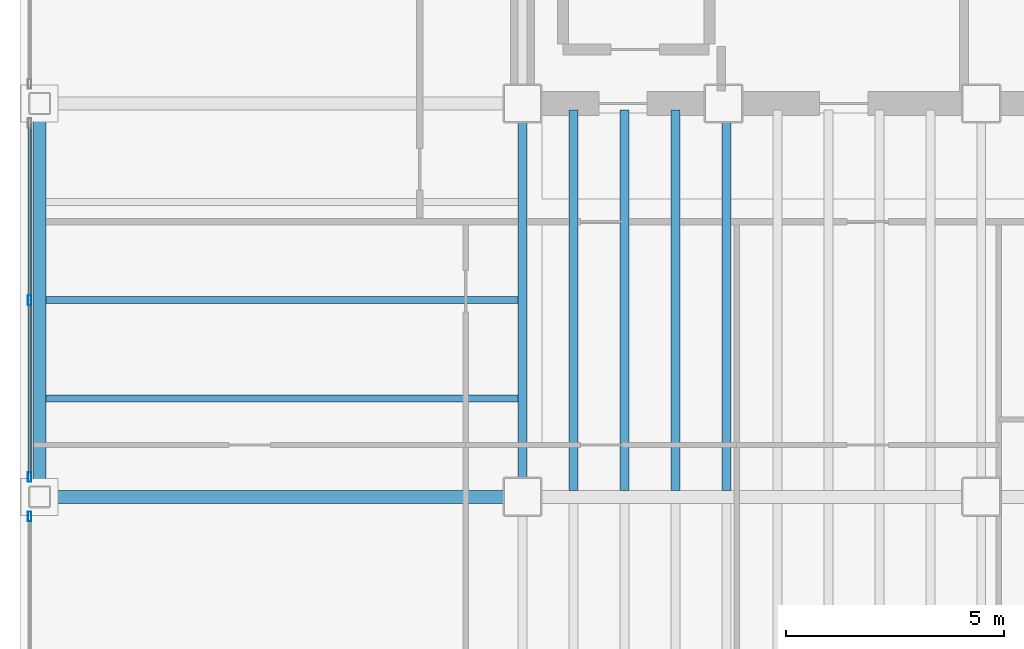
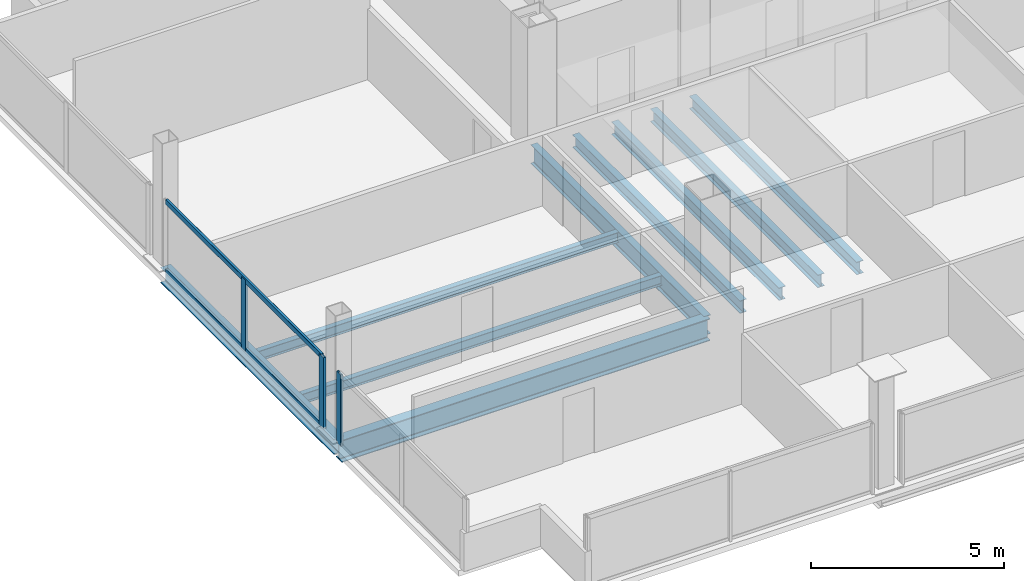
# One storey, part 4 of 22: 9 beams, 5 members, 2 elements without a shape of their own.
"""IFC4 building model written with IfcOpenShell, lengths in metres."""

from ifc_helpers import new_model, si_unit, direction, frame, origin, origin_2d, place, context, subcontext, project, spatial, hollow_rectangle, i_section, extrude, material, material_profile, profile_set, type_object, element, aggregate, save


model = new_model("IFC4")

# Units and contexts
model_context = context("Model", 3, precision=1e-05, world=origin(), true_north=direction((0.0, 1.0)))
body_context = subcontext(model_context, "Body", "Model", "MODEL_VIEW")
ifc_project = project(units=[si_unit("LENGTHUNIT", "METRE"), si_unit("AREAUNIT", "SQUARE_METRE"), si_unit("VOLUMEUNIT", "CUBIC_METRE"), si_unit("PLANEANGLEUNIT", "RADIAN"), si_unit("MASSUNIT", "GRAM", prefix="KILO")], contexts=[model_context])

# Site, building, storey
site_placement = place(None, origin())
site = spatial("IfcSite", under=ifc_project, at=site_placement, CompositionType="ELEMENT")
building_placement = place(site_placement, origin())
building = spatial("IfcBuilding", under=site, at=building_placement, Name="Noeulbin Bourse Tower", CompositionType="ELEMENT")
storey_placement = place(building_placement, frame((0.0, 0.0, 138.300048828125)))
storey = spatial("IfcBuildingStorey", under=building, at=storey_placement, Name="L34", CompositionType="ELEMENT", Elevation=138.300048828125)

# Beams
ifc_material_1 = material(Name="Steel S355", Category="steel")
ifc_material_profile_1 = material_profile(ifc_material_1, i_section(OverallWidth=0.199951171875, OverallDepth=0.60009765625, WebThickness=0.010986328125, FlangeThickness=0.01708984375, FilletRadius=0.02197265625, at=origin_2d()), Name="H-600x200x11x17", Category="LoadBearing")
ifc_profile_set_1 = profile_set([ifc_material_profile_1], Name="Steel S355")
beam_type_1 = type_object("IfcBeamType", Name="BM-GRD-600", PredefinedType="USERDEFINED", material=ifc_profile_set_1)
beam_1_placement = place(storey_placement, frame((13.5, 20.0, -0.47998046875), z_axis=(0.0, 1.0, 0.0), x_axis=(-1.0, 0.0, 0.0)))
element("IfcBeam", 1, at=beam_1_placement, inside=storey, type_object=beam_type_1, Name="Tower Primary Girder NS L34-1.2", ObjectType="GIRDER", PredefinedType="USERDEFINED", context=body_context, shape_type="SweptSolid", body=[
    extrude(i_section(OverallWidth=0.199951171875, OverallDepth=0.60009765625, WebThickness=0.010986328125, FlangeThickness=0.01708984375, FilletRadius=0.02197265625, at=origin_2d()), origin(), (0.0, 0.0, 1.0), 9.0),
])
ifc_material_profile_2 = material_profile(ifc_material_1, i_section(OverallWidth=0.300048828125, OverallDepth=0.699951171875, WebThickness=0.012939453125, FlangeThickness=0.02392578125, FilletRadius=0.02392578125, at=origin_2d()), Name="H-700x300x13x24", Category="LoadBearing")
ifc_profile_set_2 = profile_set([ifc_material_profile_2], Name="Steel S355")
beam_type_2 = type_object("IfcBeamType", Name="BM-GRD-700", PredefinedType="USERDEFINED", material=ifc_profile_set_2)
beam_2_placement = place(storey_placement, frame((2.449951171875, 20.0, -0.530029296875), z_axis=(1.0, 0.0, 0.0), x_axis=(0.0, 1.0, 0.0)))
element("IfcBeam", 2, at=beam_2_placement, inside=storey, type_object=beam_type_2, Name="Tower Primary Girder EW L34-1.1", ObjectType="GIRDER", PredefinedType="USERDEFINED", context=body_context, shape_type="SweptSolid", body=[
    extrude(i_section(OverallWidth=0.300048828125, OverallDepth=0.699951171875, WebThickness=0.012939453125, FlangeThickness=0.02392578125, FilletRadius=0.02392578125, at=origin_2d()), origin(), (0.0, 0.0, 1.0), 11.050048828125),
])
ifc_material_profile_3 = material_profile(ifc_material_1, i_section(OverallWidth=0.159912109375, OverallDepth=0.320068359375, WebThickness=0.006591796875, FlangeThickness=0.010009765625, FilletRadius=0.012939453125, at=origin_2d()), Name="H-320x160x6.5x10", Category="LoadBearing")
ifc_profile_set_3 = profile_set([ifc_material_profile_3], Name="Steel S355")
beam_type_3 = type_object("IfcBeamType", Name="BM-JST-320", PredefinedType="JOIST", material=ifc_profile_set_3)
for number, where, z_axis, x_axis, name in (
    (3, (2.60009765625, 22.25, -0.340087890625), (1.0, 0.0, 0.0), (0.0, 1.0, 0.0), "Wing Composite Joist L34-W47"),
    (4, (2.60009765625, 24.5, -0.340087890625), (1.0, 0.0, 0.0), (0.0, 1.0, 0.0), "Wing Composite Joist L34-W48"),
):
    element("IfcBeam", number, at=place(storey_placement, frame(where, z_axis=z_axis, x_axis=x_axis)), inside=storey, type_object=beam_type_3, Name=name, PredefinedType="JOIST", context=body_context, shape_type="SweptSolid", body=[
        extrude(i_section(OverallWidth=0.159912109375, OverallDepth=0.320068359375, WebThickness=0.006591796875, FlangeThickness=0.010009765625, FilletRadius=0.012939453125, at=origin_2d()), origin(), (0.0, 0.0, 1.0), 10.7998046875),
    ])
ifc_material_profile_4 = material_profile(ifc_material_1, i_section(OverallWidth=0.199951171875, OverallDepth=0.39990234375, WebThickness=0.008056640625, FlangeThickness=0.012939453125, FilletRadius=0.01611328125, at=origin_2d()), Name="H-400x200x8x13", Category="LoadBearing")
ifc_profile_set_4 = profile_set([ifc_material_profile_4], Name="Steel S355")
beam_type_4 = type_object("IfcBeamType", Name="BM-SEC-400", PredefinedType="BEAM", material=ifc_profile_set_4)
for number, where, z_axis, x_axis, name in (
    (5, (14.666748046875, 20.14990234375, -0.380126953125), (0.0, 1.0, 0.0), (-1.0, 0.0, 0.0), "Tower Composite Joist L34-02"),
    (6, (15.833251953125, 20.14990234375, -0.380126953125), (0.0, 1.0, 0.0), (-1.0, 0.0, 0.0), "Tower Composite Joist L34-04"),
    (7, (17.0, 20.14990234375, -0.380126953125), (0.0, 1.0, 0.0), (-1.0, 0.0, 0.0), "Tower Composite Joist L34-06"),
    (8, (18.166748046875, 20.14990234375, -0.380126953125), (0.0, 1.0, 0.0), (-1.0, 0.0, 0.0), "Tower Composite Joist L34-08"),
):
    element("IfcBeam", number, at=place(storey_placement, frame(where, z_axis=z_axis, x_axis=x_axis)), inside=storey, type_object=beam_type_4, Name=name, PredefinedType="BEAM", context=body_context, shape_type="SweptSolid", body=[
        extrude(i_section(OverallWidth=0.199951171875, OverallDepth=0.39990234375, WebThickness=0.008056640625, FlangeThickness=0.012939453125, FilletRadius=0.01611328125, at=origin_2d()), origin(), (0.0, 0.0, 1.0), 8.7001953125),
    ])
ifc_material_profile_5 = material_profile(ifc_material_1, i_section(OverallWidth=0.300048828125, OverallDepth=0.488037109375, WebThickness=0.010986328125, FlangeThickness=0.01806640625, FilletRadius=0.02197265625, at=origin_2d()), Name="H-488x300x11x18", Category="LoadBearing")
ifc_profile_set_5 = profile_set([ifc_material_profile_5], Name="Steel S355")
beam_type_5 = type_object("IfcBeamType", Name="BM-SPN-488", PredefinedType="SPANDREL", material=ifc_profile_set_5)
beam_3_placement = place(storey_placement, frame((2.449951171875, 20.0, -0.424072265625), z_axis=(0.0, 1.0, 0.0), x_axis=(-1.0, 0.0, 0.0)))
element("IfcBeam", 9, at=beam_3_placement, inside=storey, type_object=beam_type_5, Name="West Spandrel L34-1", PredefinedType="SPANDREL", context=body_context, shape_type="SweptSolid", body=[
    extrude(i_section(OverallWidth=0.300048828125, OverallDepth=0.488037109375, WebThickness=0.010986328125, FlangeThickness=0.01806640625, FilletRadius=0.02197265625, at=origin_2d()), origin(), (0.0, 0.0, 1.0), 9.0),
])

# Curtain wall, member
ifc_material_2 = material(Name="Dark Tinted Triple Glazing", Category="glass")
curtain_wall_type = type_object("IfcCurtainWallType", Name="CW-SYS-3", PredefinedType="NOTDEFINED", material=ifc_material_2)
curtain_wall_1_placement = place(storey_placement, origin())
curtain_wall_1 = element("IfcCurtainWall", 10, at=curtain_wall_1_placement, inside=storey, type_object=curtain_wall_type, Name="Unitised Curtain Wall CW-L34-W-S1", PredefinedType="NOTDEFINED")
ifc_material_3 = material(Name="Anodised Aluminium 6063-T6", Category="aluminium")
ifc_material_profile_6 = material_profile(ifc_material_3, hollow_rectangle(XDim=0.074951171875, YDim=0.219970703125, WallThickness=0.0048828125, InnerFilletRadius=0.00244140625, OuterFilletRadius=0.0048828125, at=origin_2d()), Name="ALU-MULL-75x220x5", Category="LoadBearing")
ifc_profile_set_6 = profile_set([ifc_material_profile_6], Name="Anodised Aluminium 6063-T6")
member_type_1 = type_object("IfcMemberType", Name="CW-SYS-3-MUL", PredefinedType="MULLION", material=ifc_profile_set_6)
member_1_placement = place(storey_placement, frame((2.219970703125, 19.550048828125, -0.02001953125), z_axis=(0.0, 0.0, 1.0), x_axis=(1.0, 0.0, 0.0)))
member_1 = element("IfcMember", 11, at=member_1_placement, type_object=member_type_1, Name="Curtain Wall Mullion CW-L34-W-S1-M02", PredefinedType="MULLION", context=body_context, shape_type="SweptSolid", body=[
    extrude(hollow_rectangle(XDim=0.074951171875, YDim=0.219970703125, WallThickness=0.0048828125, InnerFilletRadius=0.00244140625, OuterFilletRadius=0.0048828125, at=origin_2d()), origin(), (0.0, 0.0, 1.0), 2.260009765625),
])
aggregate(curtain_wall_1, [member_1])

# Curtain wall, members
curtain_wall_2_placement = place(storey_placement, origin())
curtain_wall_2 = element("IfcCurtainWall", 12, at=curtain_wall_2_placement, inside=storey, type_object=curtain_wall_type, Name="Unitised Curtain Wall CW-L34-W-S2", PredefinedType="NOTDEFINED")
member_2_placement = place(storey_placement, frame((2.219970703125, 20.449951171875, -0.02001953125), z_axis=(0.0, 0.0, 1.0), x_axis=(1.0, 0.0, 0.0)))
member_2 = element("IfcMember", 13, at=member_2_placement, type_object=member_type_1, Name="Curtain Wall Mullion CW-L34-W-S2-M00", PredefinedType="MULLION", context=body_context, shape_type="SweptSolid", body=[
    extrude(hollow_rectangle(XDim=0.074951171875, YDim=0.219970703125, WallThickness=0.0048828125, InnerFilletRadius=0.00244140625, OuterFilletRadius=0.0048828125, at=origin_2d()), origin(), (0.0, 0.0, 1.0), 2.260009765625),
])
member_3_placement = place(storey_placement, frame((2.219970703125, 24.5, -0.02001953125), z_axis=(0.0, 0.0, 1.0), x_axis=(1.0, 0.0, 0.0)))
member_3 = element("IfcMember", 14, at=member_3_placement, type_object=member_type_1, Name="Curtain Wall Mullion CW-L34-W-S2-M01", PredefinedType="MULLION", context=body_context, shape_type="SweptSolid", body=[
    extrude(hollow_rectangle(XDim=0.074951171875, YDim=0.219970703125, WallThickness=0.0048828125, InnerFilletRadius=0.00244140625, OuterFilletRadius=0.0048828125, at=origin_2d()), origin(), (0.0, 0.0, 1.0), 2.260009765625),
])
ifc_material_profile_7 = material_profile(ifc_material_3, hollow_rectangle(XDim=0.074951171875, YDim=0.159912109375, WallThickness=0.0048828125, InnerFilletRadius=0.00244140625, OuterFilletRadius=0.0048828125, at=origin_2d()), Name="ALU-TRAN-75x160x5", Category="LoadBearing")
ifc_profile_set_7 = profile_set([ifc_material_profile_7], Name="Anodised Aluminium 6063-T6")
member_type_2 = type_object("IfcMemberType", Name="CW-SYS-3-TRN", PredefinedType="USERDEFINED", material=ifc_profile_set_7)
member_4_placement = place(storey_placement, frame((2.219970703125, 20.4599609375, 0.010009765625), z_axis=(0.0, 1.0, 0.0), x_axis=(-1.0, 0.0, 0.0)))
member_4 = element("IfcMember", 15, at=member_4_placement, type_object=member_type_2, Name="Curtain Wall Transom CW-L34-W-S2-T00", ObjectType="TRANSOM", PredefinedType="USERDEFINED", context=body_context, shape_type="SweptSolid", body=[
    extrude(hollow_rectangle(XDim=0.074951171875, YDim=0.159912109375, WallThickness=0.0048828125, InnerFilletRadius=0.00244140625, OuterFilletRadius=0.0048828125, at=origin_2d()), origin(), (0.0, 0.0, 1.0), 8.080078125),
])
member_5_placement = place(storey_placement, frame((2.219970703125, 20.4599609375, 2.2099609375), z_axis=(0.0, 1.0, 0.0), x_axis=(-1.0, 0.0, 0.0)))
member_5 = element("IfcMember", 16, at=member_5_placement, type_object=member_type_2, Name="Curtain Wall Transom CW-L34-W-S2-T01", ObjectType="TRANSOM", PredefinedType="USERDEFINED", context=body_context, shape_type="SweptSolid", body=[
    extrude(hollow_rectangle(XDim=0.074951171875, YDim=0.159912109375, WallThickness=0.0048828125, InnerFilletRadius=0.00244140625, OuterFilletRadius=0.0048828125, at=origin_2d()), origin(), (0.0, 0.0, 1.0), 8.080078125),
])
aggregate(curtain_wall_2, [member_2, member_3, member_4, member_5])

save(model, "model.ifc")
